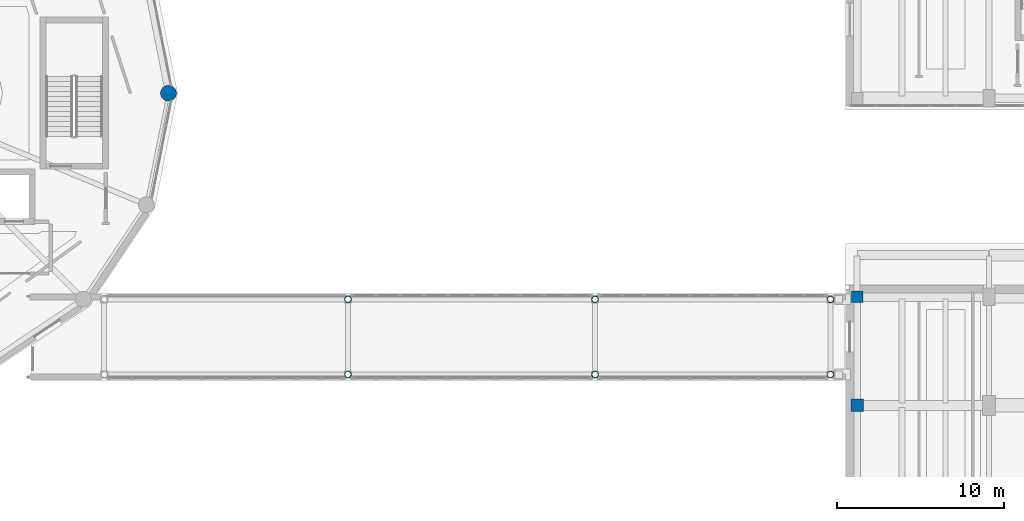
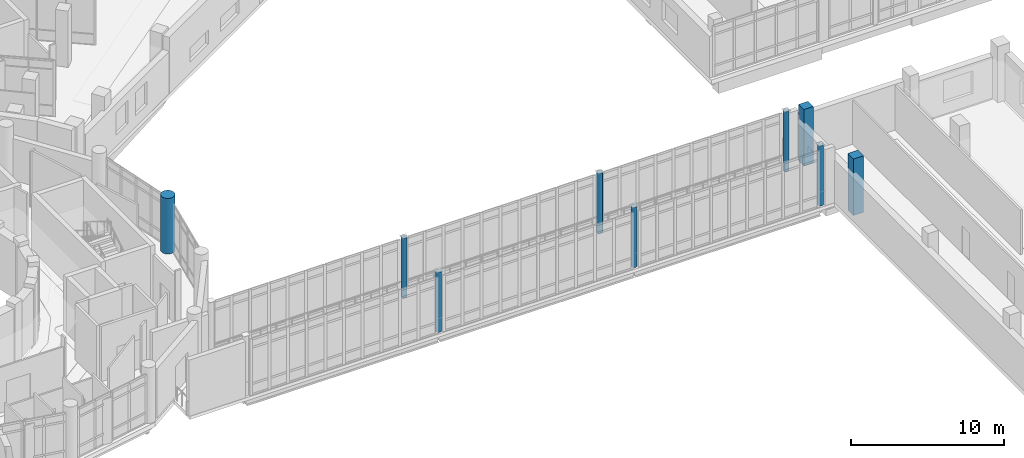
# One storey, part 4 of 89: 9 columns.
"""IFC4 building model written with IfcOpenShell, lengths in metres."""

from ifc_helpers import new_model, si_unit, direction, frame, origin, origin_2d, place, context, subcontext, project, spatial, rectangle, circle, hollow_circle, extrude, material, material_profile, profile_set, type_object, element, save


model = new_model("IFC4")

# Units and contexts
model_context = context("Model", 3, precision=1e-05, world=origin(), true_north=direction((0.0, 1.0)))
body_context = subcontext(model_context, "Body", "Model", "MODEL_VIEW")
ifc_project = project(units=[si_unit("LENGTHUNIT", "METRE"), si_unit("AREAUNIT", "SQUARE_METRE"), si_unit("VOLUMEUNIT", "CUBIC_METRE"), si_unit("PLANEANGLEUNIT", "RADIAN"), si_unit("MASSUNIT", "GRAM", prefix="KILO")], contexts=[model_context])

# Site, building, storey
site_placement = place(None, origin())
site = spatial("IfcSite", under=ifc_project, at=site_placement, CompositionType="ELEMENT")
building_placement = place(site_placement, origin())
building = spatial("IfcBuilding", under=site, at=building_placement, Name="Soyqirgoq Riverine Aquarium", CompositionType="ELEMENT")
storey_placement = place(building_placement, frame((0.0, 0.0, 5.39990234375)))
storey = spatial("IfcBuildingStorey", under=building, at=storey_placement, Name="L02", CompositionType="ELEMENT", Elevation=5.39990234375)

# Columns
ifc_material_1 = material(Name="Concrete C40/50", Category="concrete")
ifc_material_profile_1 = material_profile(ifc_material_1, circle(Radius=0.47509765625, at=origin_2d()), Name="RC-COL D950")
ifc_profile_set_1 = profile_set([ifc_material_profile_1], Name="Concrete C40/50")
column_type_1 = type_object("IfcColumnType", Name="Col_Circ_D950", PredefinedType="COLUMN", material=ifc_profile_set_1)
column_1_placement = place(storey_placement, frame((73.449951171875, 57.0, 0.0), z_axis=(0.0, 0.0, 1.0), x_axis=(1.0, 0.0, 0.0)))
element("IfcColumn", 1, at=column_1_placement, inside=storey, type_object=column_type_1, Name="V1 Column V1-CO01 L02", PredefinedType="COLUMN", context=body_context, shape_type="SweptSolid", body=[
    extrude(circle(Radius=0.47509765625, at=origin_2d()), origin(), (0.0, 0.0, 1.0), 4.4501953125),
])
ifc_material_2 = material(Name="Concrete C40/50", Category="concrete")
ifc_material_profile_2 = material_profile(ifc_material_2, rectangle(XDim=0.699951171875, YDim=0.699951171875, at=origin_2d()), Name="RC 700x700")
ifc_profile_set_2 = profile_set([ifc_material_profile_2], Name="Concrete C40/50")
column_type_2 = type_object("IfcColumnType", Name="Col_RC_700x700", PredefinedType="COLUMN", material=ifc_profile_set_2)
column_2_placement = place(storey_placement, frame((114.699951171875, 44.800048828125, 0.0), z_axis=(0.0, 0.0, 1.0), x_axis=(1.0, 0.0, 0.0)))
element("IfcColumn", 2, at=column_2_placement, inside=storey, type_object=column_type_2, Name="V6 Column V6-C-06 L02", PredefinedType="COLUMN", context=body_context, shape_type="SweptSolid", body=[
    extrude(rectangle(XDim=0.699951171875, YDim=0.699951171875, at=origin_2d()), origin(), (0.0, 0.0, 1.0), 4.52001953125),
])
ifc_material_3 = material(Name="Concrete C40/50", Category="concrete")
ifc_material_profile_3 = material_profile(ifc_material_3, rectangle(XDim=0.75, YDim=0.75, at=origin_2d()), Name="RC 750x750")
ifc_profile_set_3 = profile_set([ifc_material_profile_3], Name="Concrete C40/50")
column_type_3 = type_object("IfcColumnType", Name="Col_RC_750x750", PredefinedType="COLUMN", material=ifc_profile_set_3)
column_3_placement = place(storey_placement, frame((114.699951171875, 38.300048828125, 0.0), z_axis=(0.0, 0.0, 1.0), x_axis=(1.0, 0.0, 0.0)))
element("IfcColumn", 3, at=column_3_placement, inside=storey, type_object=column_type_3, Name="V6 Column V6-C-05 L02", PredefinedType="COLUMN", context=body_context, shape_type="SweptSolid", body=[
    extrude(rectangle(XDim=0.75, YDim=0.75, at=origin_2d()), origin(), (0.0, 0.0, 1.0), 4.52001953125),
])
ifc_material_4 = material(Name="Structural steel S355", Category="steel")
ifc_material_profile_4 = material_profile(ifc_material_4, hollow_circle(Radius=0.203125, WallThickness=0.01611328125, at=origin_2d()), Name="CHS 406.4x16")
ifc_profile_set_4 = profile_set([ifc_material_profile_4], Name="Structural steel S355")
column_type_4 = type_object("IfcColumnType", Name="Col_Steel_CHS406", PredefinedType="COLUMN", material=ifc_profile_set_4)
for number, where, z_axis, x_axis, name in (
    (4, (84.199951171875, 40.14990234375, 0.0), (0.0, 0.0, 1.0), (1.0, 0.0, 0.0), "Bridge Pier Column BR-1-CP-84-S L02"),
    (5, (84.199951171875, 44.64990234375, 0.0), (0.0, 0.0, 1.0), (1.0, 0.0, 0.0), "Bridge Pier Column BR-1-CP-84-N L02"),
    (6, (99.0, 40.14990234375, 0.0), (0.0, 0.0, 1.0), (1.0, 0.0, 0.0), "Bridge Pier Column BR-1-CP-99-S L02"),
    (7, (99.0, 44.64990234375, 0.0), (0.0, 0.0, 1.0), (1.0, 0.0, 0.0), "Bridge Pier Column BR-1-CP-99-N L02"),
    (8, (113.10009765625, 40.14990234375, 0.0), (0.0, 0.0, 1.0), (1.0, 0.0, 0.0), "Bridge Pier Column BR-1-CP-113-S L02"),
    (9, (113.10009765625, 44.64990234375, 0.0), (0.0, 0.0, 1.0), (1.0, 0.0, 0.0), "Bridge Pier Column BR-1-CP-113-N L02"),
):
    element("IfcColumn", number, at=place(storey_placement, frame(where, z_axis=z_axis, x_axis=x_axis)), inside=storey, type_object=column_type_4, Name=name, PredefinedType="COLUMN", context=body_context, shape_type="SweptSolid", body=[
        extrude(hollow_circle(Radius=0.203125, WallThickness=0.01611328125, at=origin_2d()), origin(), (0.0, 0.0, 1.0), 4.800048828125),
    ])

save(model, "model.ifc")
